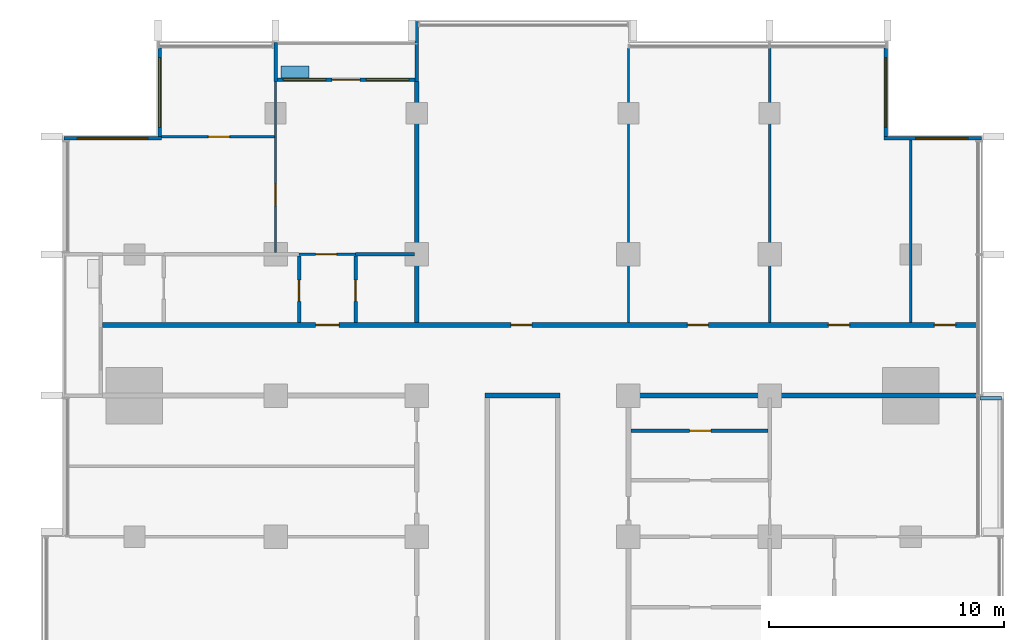
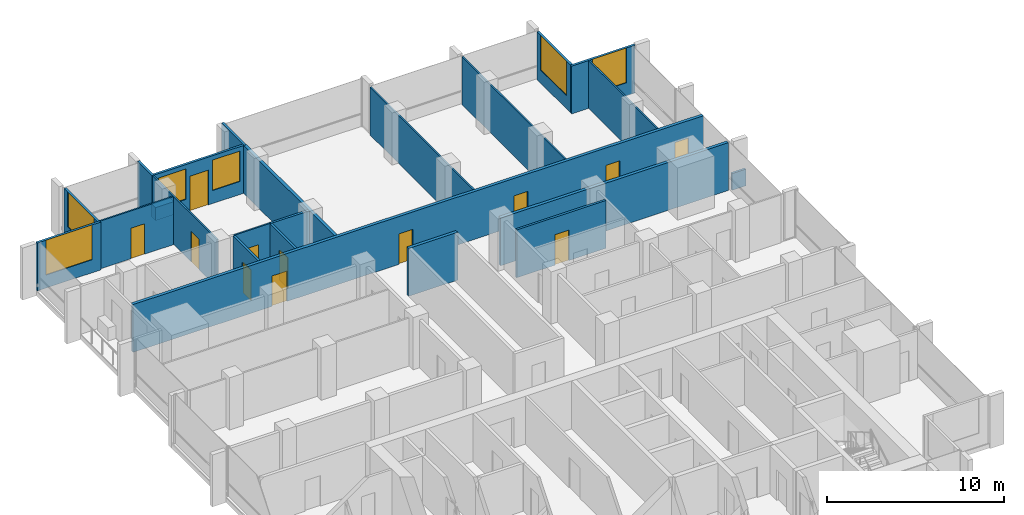
# One storey, part 10 of 16: 23 walls, 12 doors, 6 windows, 18 openings.
"""IFC4 building model written with IfcOpenShell, lengths in metres."""

from ifc_helpers import new_model, si_unit, direction, frame, frame_2d, origin, place, context, subcontext, project, spatial, rectangle, extrude, material, layer, layer_set, type_object, element, fill, save


model = new_model("IFC4")

# Units and contexts
model_context = context("Model", 3, precision=1e-05, world=origin(), true_north=direction((0.0, 1.0)))
body_context = subcontext(model_context, "Body", "Model", "MODEL_VIEW")
ifc_project = project(units=[si_unit("LENGTHUNIT", "METRE"), si_unit("AREAUNIT", "SQUARE_METRE"), si_unit("VOLUMEUNIT", "CUBIC_METRE"), si_unit("PLANEANGLEUNIT", "RADIAN"), si_unit("MASSUNIT", "GRAM", prefix="KILO")], contexts=[model_context])

# Site, building, storey
site_placement = place(None, origin())
site = spatial("IfcSite", under=ifc_project, at=site_placement, CompositionType="ELEMENT")
building_placement = place(site_placement, origin())
building = spatial("IfcBuilding", under=site, at=building_placement, Name="Finial Court Residences", CompositionType="ELEMENT")
storey_placement = place(building_placement, frame((0.0, 0.0, 185.300048828125)))
storey = spatial("IfcBuildingStorey", under=building, at=storey_placement, Name="L46", CompositionType="ELEMENT", Elevation=185.300048828125)

# Walls
ifc_material_1 = material(Name="Gypsum board")
ifc_layer_1 = layer(ifc_material_1, 0.02490234375)
ifc_material_2 = material(Name="Acoustic mineral wool in double frame")
ifc_layer_2 = layer(ifc_material_2, 0.14990234375)
ifc_layer_3 = layer(ifc_material_1, 0.02490234375)
ifc_layer_set_1 = layer_set([ifc_layer_1, ifc_layer_2, ifc_layer_3], Name="Corridor wall 200, 1 hour")
wall_type_1 = type_object("IfcWallType", Name="Corridor wall 200, 1 hour", PredefinedType="PARTITIONING", material=ifc_layer_set_1)
wall_1_placement = place(storey_placement, frame((-1.60009765625, 7.5, 0.0), z_axis=(0.0, 0.0, 1.0), x_axis=(1.0, 0.0, 0.0)))
element("IfcWall", 1, at=wall_1_placement, inside=storey, type_object=wall_type_1, Name="Partition L46-018", PredefinedType="PARTITIONING", context=body_context, shape_type="SweptSolid", body=[
    extrude(rectangle(XDim=3.2001953125, YDim=0.199951171875, at=frame_2d((1.60009765625, 0.0))), origin(), (0.0, 0.0, 1.0), 3.300048828125),
])
wall_2_placement = place(storey_placement, frame((4.39990234375, 7.5, 0.0), z_axis=(0.0, 0.0, 1.0), x_axis=(1.0, 0.0, 0.0)))
element("IfcWall", 2, at=wall_2_placement, inside=storey, type_object=wall_type_1, Name="Partition L46-019", PredefinedType="PARTITIONING", context=body_context, shape_type="SweptSolid", body=[
    extrude(rectangle(XDim=14.862548828125, YDim=0.199951171875, at=frame_2d((7.43115234375, 0.0))), origin(), (0.0, 0.0, 1.0), 3.300048828125),
])

# Wall, openings, doors
wall_3_placement = place(storey_placement, frame((-17.85009765625, 10.5, 0.0), z_axis=(0.0, 0.0, 1.0), x_axis=(1.0, 0.0, 0.0)))
wall_3 = element("IfcWall", 3, at=wall_3_placement, inside=storey, type_object=wall_type_1, Name="Partition L46-020", PredefinedType="PARTITIONING", context=body_context, shape_type="SweptSolid", body=[
    extrude(rectangle(XDim=37.2001953125, YDim=0.199951171875, at=frame_2d((18.60009765625, 0.0))), origin(), (0.0, 0.0, 1.0), 3.300048828125),
])
opening_1_placement = place(wall_3_placement, frame((9.050048828125, 0.0, 0.0)))
opening_1 = element("IfcOpeningElement", 4, at=opening_1_placement, cuts=wall_3, Name="Opening L46-D015", PredefinedType="OPENING", context=body_context, shape_type="SweptSolid", body=[
    extrude(rectangle(XDim=1.0, YDim=2.10009765625, at=frame_2d((0.5, 1.050048828125))), frame((0.0, 0.10986328125, 0.0), z_axis=(0.0, -1.0, 0.0), x_axis=(1.0, 0.0, 0.0)), (0.0, 0.0, 1.0), 0.219970703125),
])
opening_2_placement = place(wall_3_placement, frame((17.35009765625, 0.0, 0.0)))
opening_2 = element("IfcOpeningElement", 5, at=opening_2_placement, cuts=wall_3, Name="Opening L46-D016", PredefinedType="OPENING", context=body_context, shape_type="SweptSolid", body=[
    extrude(rectangle(XDim=0.89990234375, YDim=2.10009765625, at=frame_2d((0.449951171875, 1.050048828125))), frame((0.0, 0.10986328125, 0.0), z_axis=(0.0, -1.0, 0.0), x_axis=(1.0, 0.0, 0.0)), (0.0, 0.0, 1.0), 0.219970703125),
])
opening_3_placement = place(wall_3_placement, frame((24.85009765625, 0.0, 0.0)))
opening_3 = element("IfcOpeningElement", 6, at=opening_3_placement, cuts=wall_3, Name="Opening L46-D017", PredefinedType="OPENING", context=body_context, shape_type="SweptSolid", body=[
    extrude(rectangle(XDim=0.89990234375, YDim=2.10009765625, at=frame_2d((0.449951171875, 1.050048828125))), frame((0.0, 0.10986328125, 0.0), z_axis=(0.0, -1.0, 0.0), x_axis=(1.0, 0.0, 0.0)), (0.0, 0.0, 1.0), 0.219970703125),
])
opening_4_placement = place(wall_3_placement, frame((30.85009765625, 0.0, 0.0)))
opening_4 = element("IfcOpeningElement", 7, at=opening_4_placement, cuts=wall_3, Name="Opening L46-D018", PredefinedType="OPENING", context=body_context, shape_type="SweptSolid", body=[
    extrude(rectangle(XDim=0.89990234375, YDim=2.10009765625, at=frame_2d((0.449951171875, 1.050048828125))), frame((0.0, 0.10986328125, 0.0), z_axis=(0.0, -1.0, 0.0), x_axis=(1.0, 0.0, 0.0)), (0.0, 0.0, 1.0), 0.219970703125),
])
opening_5_placement = place(wall_3_placement, frame((35.35009765625, 0.0, 0.0)))
opening_5 = element("IfcOpeningElement", 8, at=opening_5_placement, cuts=wall_3, Name="Opening L46-D019", PredefinedType="OPENING", context=body_context, shape_type="SweptSolid", body=[
    extrude(rectangle(XDim=0.89990234375, YDim=2.10009765625, at=frame_2d((0.449951171875, 1.050048828125))), frame((0.0, 0.10986328125, 0.0), z_axis=(0.0, -1.0, 0.0), x_axis=(1.0, 0.0, 0.0)), (0.0, 0.0, 1.0), 0.219970703125),
])
ifc_material_3 = material(Name="Timber door leaf in hollow metal frame", Category="wood")
door_type_1 = type_object("IfcDoorType", Name="Fire door set 1000 x 2100, 30 minutes", OperationType="SINGLE_SWING_LEFT", PredefinedType="DOOR", material=ifc_material_3)
door_1_placement = place(opening_1_placement, origin())
door_1 = element("IfcDoor", 9, at=door_1_placement, inside=storey, type_object=door_type_1, Name="Door L46-D015", OperationType="SINGLE_SWING_RIGHT", OverallHeight=2.10009765625, OverallWidth=1.0, PredefinedType="DOOR", context=body_context, shape_type="SweptSolid", body=[
    extrude(rectangle(XDim=1.0, YDim=2.10009765625, at=frame_2d((0.5, 1.050048828125))), frame((0.0, 0.02490234375, 0.0), z_axis=(0.0, -1.0, 0.0), x_axis=(1.0, 0.0, 0.0)), (0.0, 0.0, 1.0), 0.050048828125),
])
fill(opening_1, door_1)
door_type_2 = type_object("IfcDoorType", Name="Fire door set 900 x 2100, 30 minutes", OperationType="SINGLE_SWING_LEFT", PredefinedType="DOOR", material=ifc_material_3)
door_2_placement = place(opening_2_placement, origin())
door_2 = element("IfcDoor", 10, at=door_2_placement, inside=storey, type_object=door_type_2, Name="Door L46-D016", OperationType="SINGLE_SWING_RIGHT", OverallHeight=2.10009765625, OverallWidth=0.89990234375, PredefinedType="DOOR", context=body_context, shape_type="SweptSolid", body=[
    extrude(rectangle(XDim=0.89990234375, YDim=2.10009765625, at=frame_2d((0.449951171875, 1.050048828125))), frame((0.0, 0.02490234375, 0.0), z_axis=(0.0, -1.0, 0.0), x_axis=(1.0, 0.0, 0.0)), (0.0, 0.0, 1.0), 0.050048828125),
])
fill(opening_2, door_2)
door_3_placement = place(opening_3_placement, origin())
door_3 = element("IfcDoor", 11, at=door_3_placement, inside=storey, type_object=door_type_2, Name="Door L46-D017", OperationType="SINGLE_SWING_LEFT", OverallHeight=2.10009765625, OverallWidth=0.89990234375, PredefinedType="DOOR", context=body_context, shape_type="SweptSolid", body=[
    extrude(rectangle(XDim=0.89990234375, YDim=2.10009765625, at=frame_2d((0.449951171875, 1.050048828125))), frame((0.0, 0.02490234375, 0.0), z_axis=(0.0, -1.0, 0.0), x_axis=(1.0, 0.0, 0.0)), (0.0, 0.0, 1.0), 0.050048828125),
])
fill(opening_3, door_3)
door_4_placement = place(opening_4_placement, origin())
door_4 = element("IfcDoor", 12, at=door_4_placement, inside=storey, type_object=door_type_2, Name="Door L46-D018", OperationType="SINGLE_SWING_LEFT", OverallHeight=2.10009765625, OverallWidth=0.89990234375, PredefinedType="DOOR", context=body_context, shape_type="SweptSolid", body=[
    extrude(rectangle(XDim=0.89990234375, YDim=2.10009765625, at=frame_2d((0.449951171875, 1.050048828125))), frame((0.0, 0.02490234375, 0.0), z_axis=(0.0, -1.0, 0.0), x_axis=(1.0, 0.0, 0.0)), (0.0, 0.0, 1.0), 0.050048828125),
])
fill(opening_4, door_4)
door_5_placement = place(opening_5_placement, origin())
door_5 = element("IfcDoor", 13, at=door_5_placement, inside=storey, type_object=door_type_2, Name="Door L46-D019", OperationType="SINGLE_SWING_LEFT", OverallHeight=2.10009765625, OverallWidth=0.89990234375, PredefinedType="DOOR", context=body_context, shape_type="SweptSolid", body=[
    extrude(rectangle(XDim=0.89990234375, YDim=2.10009765625, at=frame_2d((0.449951171875, 1.050048828125))), frame((0.0, 0.02490234375, 0.0), z_axis=(0.0, -1.0, 0.0), x_axis=(1.0, 0.0, 0.0)), (0.0, 0.0, 1.0), 0.050048828125),
])
fill(opening_5, door_5)

# Wall
wall_4_placement = place(storey_placement, frame((-4.5, 10.60009765625, 0.0), z_axis=(0.0, 0.0, 1.0), x_axis=(0.0, 1.0, 0.0)))
element("IfcWall", 14, at=wall_4_placement, inside=storey, type_object=wall_type_1, Name="Partition L46-032", PredefinedType="PARTITIONING", context=body_context, shape_type="SweptSolid", body=[
    extrude(rectangle(XDim=10.25, YDim=0.199951171875, at=frame_2d((5.125, 0.0))), origin(), (0.0, 0.0, 1.0), 3.300048828125),
])

# Wall, opening, door
ifc_layer_4 = layer(ifc_material_1, 0.012451171875)
ifc_material_4 = material(Name="Mineral wool in light-gauge frame")
ifc_layer_5 = layer(ifc_material_4, 0.074951171875)
ifc_layer_6 = layer(ifc_material_1, 0.012451171875)
ifc_layer_set_2 = layer_set([ifc_layer_4, ifc_layer_5, ifc_layer_6], Name="Gypsum board partition 100")
wall_type_2 = type_object("IfcWallType", Name="Gypsum board partition 100", PredefinedType="PARTITIONING", material=ifc_layer_set_2)
wall_5_placement = place(storey_placement, frame((-9.5, 13.5, 0.0), z_axis=(0.0, 0.0, 1.0), x_axis=(1.0, 0.0, 0.0)))
wall_5 = element("IfcWall", 15, at=wall_5_placement, inside=storey, type_object=wall_type_2, Name="Partition L46-022", PredefinedType="PARTITIONING", context=body_context, shape_type="SweptSolid", body=[
    extrude(rectangle(XDim=2.39990234375, YDim=0.10009765625, at=frame_2d((1.199951171875, 0.0))), origin(), (0.0, 0.0, 1.0), 3.300048828125),
])
opening_6_placement = place(wall_5_placement, frame((0.699951171875, 0.0, 0.0)))
opening_6 = element("IfcOpeningElement", 16, at=opening_6_placement, cuts=wall_5, Name="Opening L46-D020", PredefinedType="OPENING", context=body_context, shape_type="SweptSolid", body=[
    extrude(rectangle(XDim=0.89990234375, YDim=2.10009765625, at=frame_2d((0.449951171875, 1.050048828125))), frame((0.0, 0.06005859375, 0.0), z_axis=(0.0, -1.0, 0.0), x_axis=(1.0, 0.0, 0.0)), (0.0, 0.0, 1.0), 0.1201171875),
])
ifc_material_5 = material(Name="Timber door leaf in timber frame", Category="wood")
door_type_3 = type_object("IfcDoorType", Name="Door set 900 x 2100", OperationType="SINGLE_SWING_LEFT", PredefinedType="DOOR", material=ifc_material_5)
door_6_placement = place(opening_6_placement, origin())
door_6 = element("IfcDoor", 17, at=door_6_placement, inside=storey, type_object=door_type_3, Name="Door L46-D020", OperationType="SINGLE_SWING_RIGHT", OverallHeight=2.10009765625, OverallWidth=0.89990234375, PredefinedType="DOOR", context=body_context, shape_type="SweptSolid", body=[
    extrude(rectangle(XDim=0.89990234375, YDim=2.10009765625, at=frame_2d((0.449951171875, 1.050048828125))), frame((0.0, 0.02490234375, 0.0), z_axis=(0.0, -1.0, 0.0), x_axis=(1.0, 0.0, 0.0)), (0.0, 0.0, 1.0), 0.050048828125),
])
fill(opening_6, door_6)

wall_6_placement = place(storey_placement, frame((-15.35009765625, 18.5, 0.0), z_axis=(0.0, 0.0, 1.0), x_axis=(1.0, 0.0, 0.0)))
wall_6 = element("IfcWall", 18, at=wall_6_placement, inside=storey, type_object=wall_type_2, Name="Partition L46-025", PredefinedType="PARTITIONING", context=body_context, shape_type="SweptSolid", body=[
    extrude(rectangle(XDim=4.800048828125, YDim=0.10009765625, at=frame_2d((2.39990234375, 0.0))), origin(), (0.0, 0.0, 1.0), 3.300048828125),
])
opening_7_placement = place(wall_6_placement, frame((2.0, 0.0, 0.0)))
opening_7 = element("IfcOpeningElement", 19, at=opening_7_placement, cuts=wall_6, Name="Opening L46-D021", PredefinedType="OPENING", context=body_context, shape_type="SweptSolid", body=[
    extrude(rectangle(XDim=0.89990234375, YDim=2.10009765625, at=frame_2d((0.449951171875, 1.050048828125))), frame((0.0, 0.06005859375, 0.0), z_axis=(0.0, -1.0, 0.0), x_axis=(1.0, 0.0, 0.0)), (0.0, 0.0, 1.0), 0.1201171875),
])
door_7_placement = place(opening_7_placement, origin())
door_7 = element("IfcDoor", 20, at=door_7_placement, inside=storey, type_object=door_type_3, Name="Door L46-D021", OperationType="SINGLE_SWING_RIGHT", OverallHeight=2.10009765625, OverallWidth=0.89990234375, PredefinedType="DOOR", context=body_context, shape_type="SweptSolid", body=[
    extrude(rectangle(XDim=0.89990234375, YDim=2.10009765625, at=frame_2d((0.449951171875, 1.050048828125))), frame((0.0, 0.02490234375, 0.0), z_axis=(0.0, -1.0, 0.0), x_axis=(1.0, 0.0, 0.0)), (0.0, 0.0, 1.0), 0.050048828125),
])
fill(opening_7, door_7)

wall_7_placement = place(storey_placement, frame((-10.5, 13.574951171875, 0.0), z_axis=(0.0, 0.0, 1.0), x_axis=(0.0, 1.0, 0.0)))
wall_7 = element("IfcWall", 21, at=wall_7_placement, inside=storey, type_object=wall_type_2, Name="Partition L46-028", PredefinedType="PARTITIONING", context=body_context, shape_type="SweptSolid", body=[
    extrude(rectangle(XDim=7.275146484375, YDim=0.10009765625, at=frame_2d((3.6376953125, 0.0))), origin(), (0.0, 0.0, 1.0), 3.300048828125),
])
opening_8_placement = place(wall_7_placement, frame((2.0, 0.0, 0.0)))
opening_8 = element("IfcOpeningElement", 22, at=opening_8_placement, cuts=wall_7, Name="Opening L46-D023", PredefinedType="OPENING", context=body_context, shape_type="SweptSolid", body=[
    extrude(rectangle(XDim=0.89990234375, YDim=2.10009765625, at=frame_2d((0.449951171875, 1.050048828125))), frame((0.0, 0.06005859375, 0.0), z_axis=(0.0, -1.0, 0.0), x_axis=(1.0, 0.0, 0.0)), (0.0, 0.0, 1.0), 0.1201171875),
])
door_8_placement = place(opening_8_placement, origin())
door_8 = element("IfcDoor", 23, at=door_8_placement, inside=storey, type_object=door_type_3, Name="Door L46-D023", OperationType="SINGLE_SWING_RIGHT", OverallHeight=2.10009765625, OverallWidth=0.89990234375, PredefinedType="DOOR", context=body_context, shape_type="SweptSolid", body=[
    extrude(rectangle(XDim=0.89990234375, YDim=2.10009765625, at=frame_2d((0.449951171875, 1.050048828125))), frame((0.0, 0.02490234375, 0.0), z_axis=(0.0, -1.0, 0.0), x_axis=(1.0, 0.0, 0.0)), (0.0, 0.0, 1.0), 0.050048828125),
])
fill(opening_8, door_8)

# Walls
for number, where, z_axis, x_axis, name in (
    (24, (4.5, 10.60009765625, 0.0), (0.0, 0.0, 1.0), (0.0, 1.0, 0.0), "Partition L46-036"),
    (25, (10.5, 10.60009765625, 0.0), (0.0, 0.0, 1.0), (0.0, 1.0, 0.0), "Partition L46-039"),
):
    element("IfcWall", number, at=place(storey_placement, frame(where, z_axis=z_axis, x_axis=x_axis)), inside=storey, type_object=wall_type_2, Name=name, PredefinedType="PARTITIONING", context=body_context, shape_type="SweptSolid", body=[
        extrude(rectangle(XDim=11.662353515625, YDim=0.10009765625, at=frame_2d((5.8310546875, 0.0))), origin(), (0.0, 0.0, 1.0), 3.300048828125),
    ])
wall_8_placement = place(storey_placement, frame((16.5, 10.60009765625, 0.0), z_axis=(0.0, 0.0, 1.0), x_axis=(0.0, 1.0, 0.0)))
element("IfcWall", 26, at=wall_8_placement, inside=storey, type_object=wall_type_2, Name="Partition L46-045", PredefinedType="PARTITIONING", context=body_context, shape_type="SweptSolid", body=[
    extrude(rectangle(XDim=7.75, YDim=0.10009765625, at=frame_2d((3.875, 0.0))), origin(), (0.0, 0.0, 1.0), 3.300048828125),
])

# Wall, opening, door
ifc_material_6 = material(Name="Moisture-resistant gypsum board")
ifc_layer_7 = layer(ifc_material_6, 0.012451171875)
ifc_layer_8 = layer(ifc_material_4, 0.125)
ifc_layer_9 = layer(ifc_material_6, 0.012451171875)
ifc_layer_set_3 = layer_set([ifc_layer_7, ifc_layer_8, ifc_layer_9], Name="Gypsum board wet-area partition 150")
wall_type_3 = type_object("IfcWallType", Name="Gypsum board wet-area partition 150", PredefinedType="PARTITIONING", material=ifc_layer_set_3)
wall_9_placement = place(storey_placement, frame((4.60009765625, 6.0, 0.0), z_axis=(0.0, 0.0, 1.0), x_axis=(1.0, 0.0, 0.0)))
wall_9 = element("IfcWall", 27, at=wall_9_placement, inside=storey, type_object=wall_type_3, Name="Partition L46-016", PredefinedType="PARTITIONING", context=body_context, shape_type="SweptSolid", body=[
    extrude(rectangle(XDim=5.824951171875, YDim=0.14990234375, at=frame_2d((2.91259765625, 0.0))), origin(), (0.0, 0.0, 1.0), 3.300048828125),
])
opening_9_placement = place(wall_9_placement, frame((2.5, 0.0, 0.0)))
opening_9 = element("IfcOpeningElement", 28, at=opening_9_placement, cuts=wall_9, Name="Opening L46-D014", PredefinedType="OPENING", context=body_context, shape_type="SweptSolid", body=[
    extrude(rectangle(XDim=0.89990234375, YDim=2.10009765625, at=frame_2d((0.449951171875, 1.050048828125))), frame((0.0, 0.0849609375, 0.0), z_axis=(0.0, -1.0, 0.0), x_axis=(1.0, 0.0, 0.0)), (0.0, 0.0, 1.0), 0.169921875),
])
door_9_placement = place(opening_9_placement, origin())
door_9 = element("IfcDoor", 29, at=door_9_placement, inside=storey, type_object=door_type_3, Name="Door L46-D014", OperationType="SINGLE_SWING_RIGHT", OverallHeight=2.10009765625, OverallWidth=0.89990234375, PredefinedType="DOOR", context=body_context, shape_type="SweptSolid", body=[
    extrude(rectangle(XDim=0.89990234375, YDim=2.10009765625, at=frame_2d((0.449951171875, 1.050048828125))), frame((0.0, 0.02490234375, 0.0), z_axis=(0.0, -1.0, 0.0), x_axis=(1.0, 0.0, 0.0)), (0.0, 0.0, 1.0), 0.050048828125),
])
fill(opening_9, door_9)

# Wall
wall_10_placement = place(storey_placement, frame((-7.10009765625, 13.5, 0.0), z_axis=(0.0, 0.0, 1.0), x_axis=(1.0, 0.0, 0.0)))
element("IfcWall", 30, at=wall_10_placement, inside=storey, type_object=wall_type_3, Name="Partition L46-024", PredefinedType="PARTITIONING", context=body_context, shape_type="SweptSolid", body=[
    extrude(rectangle(XDim=2.5, YDim=0.14990234375, at=frame_2d((1.25, 0.0))), origin(), (0.0, 0.0, 1.0), 3.300048828125),
])

# Wall, opening, door
wall_11_placement = place(storey_placement, frame((-9.5, 10.60009765625, 0.0), z_axis=(0.0, 0.0, 1.0), x_axis=(0.0, 1.0, 0.0)))
wall_11 = element("IfcWall", 31, at=wall_11_placement, inside=storey, type_object=wall_type_3, Name="Partition L46-029", PredefinedType="PARTITIONING", context=body_context, shape_type="SweptSolid", body=[
    extrude(rectangle(XDim=2.824951171875, YDim=0.14990234375, at=frame_2d((1.41259765625, 0.0))), origin(), (0.0, 0.0, 1.0), 3.300048828125),
])
opening_10_placement = place(wall_11_placement, frame((0.89990234375, 0.0, 0.0)))
opening_10 = element("IfcOpeningElement", 32, at=opening_10_placement, cuts=wall_11, Name="Opening L46-D024", PredefinedType="OPENING", context=body_context, shape_type="SweptSolid", body=[
    extrude(rectangle(XDim=0.89990234375, YDim=2.10009765625, at=frame_2d((0.449951171875, 1.050048828125))), frame((0.0, 0.0849609375, 0.0), z_axis=(0.0, -1.0, 0.0), x_axis=(1.0, 0.0, 0.0)), (0.0, 0.0, 1.0), 0.169921875),
])
door_10_placement = place(opening_10_placement, origin())
door_10 = element("IfcDoor", 33, at=door_10_placement, inside=storey, type_object=door_type_3, Name="Door L46-D024", OperationType="SINGLE_SWING_RIGHT", OverallHeight=2.10009765625, OverallWidth=0.89990234375, PredefinedType="DOOR", context=body_context, shape_type="SweptSolid", body=[
    extrude(rectangle(XDim=0.89990234375, YDim=2.10009765625, at=frame_2d((0.449951171875, 1.050048828125))), frame((0.0, 0.02490234375, 0.0), z_axis=(0.0, -1.0, 0.0), x_axis=(1.0, 0.0, 0.0)), (0.0, 0.0, 1.0), 0.050048828125),
])
fill(opening_10, door_10)

wall_12_placement = place(storey_placement, frame((-7.10009765625, 10.60009765625, 0.0), z_axis=(0.0, 0.0, 1.0), x_axis=(0.0, 1.0, 0.0)))
wall_12 = element("IfcWall", 34, at=wall_12_placement, inside=storey, type_object=wall_type_3, Name="Partition L46-030", PredefinedType="PARTITIONING", context=body_context, shape_type="SweptSolid", body=[
    extrude(rectangle(XDim=2.824951171875, YDim=0.14990234375, at=frame_2d((1.41259765625, 0.0))), origin(), (0.0, 0.0, 1.0), 3.300048828125),
])
opening_11_placement = place(wall_12_placement, frame((0.89990234375, 0.0, 0.0)))
opening_11 = element("IfcOpeningElement", 35, at=opening_11_placement, cuts=wall_12, Name="Opening L46-D025", PredefinedType="OPENING", context=body_context, shape_type="SweptSolid", body=[
    extrude(rectangle(XDim=0.89990234375, YDim=2.10009765625, at=frame_2d((0.449951171875, 1.050048828125))), frame((0.0, 0.0849609375, 0.0), z_axis=(0.0, -1.0, 0.0), x_axis=(1.0, 0.0, 0.0)), (0.0, 0.0, 1.0), 0.169921875),
])
door_11_placement = place(opening_11_placement, origin())
door_11 = element("IfcDoor", 36, at=door_11_placement, inside=storey, type_object=door_type_3, Name="Door L46-D025", OperationType="SINGLE_SWING_LEFT", OverallHeight=2.10009765625, OverallWidth=0.89990234375, PredefinedType="DOOR", context=body_context, shape_type="SweptSolid", body=[
    extrude(rectangle(XDim=0.89990234375, YDim=2.10009765625, at=frame_2d((0.449951171875, 1.050048828125))), frame((0.0, 0.02490234375, 0.0), z_axis=(0.0, -1.0, 0.0), x_axis=(1.0, 0.0, 0.0)), (0.0, 0.0, 1.0), 0.050048828125),
])
fill(opening_11, door_11)

# Wall
ifc_material_7 = material(Name="Concrete C35/45", Category="concrete")
ifc_layer_10 = layer(ifc_material_7, 0.14990234375)
ifc_layer_set_4 = layer_set([ifc_layer_10], Name="Ledge parapet, Concrete C35/45 150")
wall_type_4 = type_object("IfcWallType", Name="Ledge parapet, Concrete C35/45 150", PredefinedType="PARAPET", material=ifc_layer_set_4)
wall_13_placement = place(storey_placement, frame((19.447509765625, 7.375, 0.0), z_axis=(0.0, 0.0, 1.0), x_axis=(1.0, 0.0, 0.0)))
element("IfcWall", 37, at=wall_13_placement, inside=storey, type_object=wall_type_4, Name="E-L46-LED1-P1", PredefinedType="PARAPET", context=body_context, shape_type="SweptSolid", body=[
    extrude(rectangle(XDim=0.902587890625, YDim=0.14990234375, at=frame_2d((0.451171875, 0.0))), origin(), (0.0, 0.0, 1.0), 1.14990234375),
])

# Wall, opening, window
ifc_material_8 = material(Name="Natural limestone", Category="masonry")
ifc_layer_11 = layer(ifc_material_8, 0.14990234375)
ifc_layer_set_5 = layer_set([ifc_layer_11], Name="Limestone clad wall 150")
wall_type_5 = type_object("IfcWallType", Name="Limestone clad wall 150", PredefinedType="SOLIDWALL", material=ifc_layer_set_5)
wall_14_placement = place(storey_placement, frame((-15.425048828125, 18.5, 0.0), z_axis=(0.0, 0.0, 1.0), x_axis=(0.0, 1.0, 0.0)))
wall_14 = element("IfcWall", 38, at=wall_14_placement, inside=storey, type_object=wall_type_5, Name="E-L46-NWW18", PredefinedType="SOLIDWALL", context=body_context, shape_type="SweptSolid", body=[
    extrude(rectangle(XDim=3.762451171875, YDim=0.14990234375, at=frame_2d((1.88134765625, 0.0))), origin(), (0.0, 0.0, 1.0), 3.300048828125),
])
opening_12_placement = place(wall_14_placement, frame((0.4013671875, 0.0, 0.89990234375)))
opening_12 = element("IfcOpeningElement", 39, at=opening_12_placement, cuts=wall_14, Name="Opening WE46-05", PredefinedType="OPENING", context=body_context, shape_type="SweptSolid", body=[
    extrude(rectangle(XDim=2.9599609375, YDim=2.39990234375, at=frame_2d((1.47998046875, 1.199951171875))), frame((0.0, 0.0849609375, 0.0), z_axis=(0.0, -1.0, 0.0), x_axis=(1.0, 0.0, 0.0)), (0.0, 0.0, 1.0), 0.169921875),
])
ifc_material_9 = material(Name="Clear low-e glass", Category="glass")
window_type_1 = type_object("IfcWindowType", Name="Corner window 2960 x 2400", PartitioningType="SINGLE_PANEL", PredefinedType="WINDOW", material=ifc_material_9)
window_1_placement = place(opening_12_placement, origin())
window_1 = element("IfcWindow", 40, at=window_1_placement, inside=storey, type_object=window_type_1, Name="E-L46-NWW18-W1", OverallHeight=2.39990234375, OverallWidth=2.9599609375, PartitioningType="SINGLE_PANEL", PredefinedType="WINDOW", context=body_context, shape_type="SweptSolid", body=[
    extrude(rectangle(XDim=2.9599609375, YDim=2.39990234375, at=frame_2d((1.47998046875, 1.199951171875))), frame((0.0, 0.030029296875, 0.0), z_axis=(0.0, -1.0, 0.0), x_axis=(1.0, 0.0, 0.0)), (0.0, 0.0, 1.0), 0.06005859375),
])
fill(opening_12, window_1)

wall_15_placement = place(storey_placement, frame((-19.5, 18.425048828125, 0.0), z_axis=(0.0, 0.0, 1.0), x_axis=(1.0, 0.0, 0.0)))
wall_15 = element("IfcWall", 41, at=wall_15_placement, inside=storey, type_object=wall_type_5, Name="E-L46-NWN19", PredefinedType="SOLIDWALL", context=body_context, shape_type="SweptSolid", body=[
    extrude(rectangle(XDim=4.14990234375, YDim=0.14990234375, at=frame_2d((2.074951171875, 0.0))), origin(), (0.0, 0.0, 1.0), 3.300048828125),
])
opening_13_placement = place(wall_15_placement, frame((0.574951171875, 0.0, 0.89990234375)))
opening_13 = element("IfcOpeningElement", 42, at=opening_13_placement, cuts=wall_15, Name="Opening WE46-06", PredefinedType="OPENING", context=body_context, shape_type="SweptSolid", body=[
    extrude(rectangle(XDim=3.0, YDim=2.39990234375, at=frame_2d((1.5, 1.199951171875))), frame((0.0, 0.0849609375, 0.0), z_axis=(0.0, -1.0, 0.0), x_axis=(1.0, 0.0, 0.0)), (0.0, 0.0, 1.0), 0.169921875),
])
window_type_2 = type_object("IfcWindowType", Name="Corner window 3000 x 2400", PartitioningType="SINGLE_PANEL", PredefinedType="WINDOW", material=ifc_material_9)
window_2_placement = place(opening_13_placement, origin())
window_2 = element("IfcWindow", 43, at=window_2_placement, inside=storey, type_object=window_type_2, Name="E-L46-NWN19-W1", OverallHeight=2.39990234375, OverallWidth=3.0, PartitioningType="SINGLE_PANEL", PredefinedType="WINDOW", context=body_context, shape_type="SweptSolid", body=[
    extrude(rectangle(XDim=3.0, YDim=2.39990234375, at=frame_2d((1.5, 1.199951171875))), frame((0.0, 0.030029296875, 0.0), z_axis=(0.0, -1.0, 0.0), x_axis=(1.0, 0.0, 0.0)), (0.0, 0.0, 1.0), 0.06005859375),
])
fill(opening_13, window_2)

wall_16_placement = place(storey_placement, frame((15.425048828125, 22.262451171875, 0.0), z_axis=(0.0, 0.0, 1.0), x_axis=(0.0, -1.0, 0.0)))
wall_16 = element("IfcWall", 44, at=wall_16_placement, inside=storey, type_object=wall_type_5, Name="E-L46-NWE20", PredefinedType="SOLIDWALL", context=body_context, shape_type="SweptSolid", body=[
    extrude(rectangle(XDim=3.762451171875, YDim=0.14990234375, at=frame_2d((1.88134765625, 0.0))), origin(), (0.0, 0.0, 1.0), 3.300048828125),
])
opening_14_placement = place(wall_16_placement, frame((0.401123046875, 0.0, 0.89990234375)))
opening_14 = element("IfcOpeningElement", 45, at=opening_14_placement, cuts=wall_16, Name="Opening WE46-07", PredefinedType="OPENING", context=body_context, shape_type="SweptSolid", body=[
    extrude(rectangle(XDim=2.9599609375, YDim=2.39990234375, at=frame_2d((1.47998046875, 1.199951171875))), frame((0.0, 0.0849609375, 0.0), z_axis=(0.0, -1.0, 0.0), x_axis=(1.0, 0.0, 0.0)), (0.0, 0.0, 1.0), 0.169921875),
])
window_3_placement = place(opening_14_placement, origin())
window_3 = element("IfcWindow", 46, at=window_3_placement, inside=storey, type_object=window_type_1, Name="E-L46-NWE20-W1", OverallHeight=2.39990234375, OverallWidth=2.9599609375, PartitioningType="SINGLE_PANEL", PredefinedType="WINDOW", context=body_context, shape_type="SweptSolid", body=[
    extrude(rectangle(XDim=2.9599609375, YDim=2.39990234375, at=frame_2d((1.47998046875, 1.199951171875))), frame((0.0, 0.030029296875, 0.0), z_axis=(0.0, -1.0, 0.0), x_axis=(1.0, 0.0, 0.0)), (0.0, 0.0, 1.0), 0.06005859375),
])
fill(opening_14, window_3)

wall_17_placement = place(storey_placement, frame((15.35009765625, 18.425048828125, 0.0), z_axis=(0.0, 0.0, 1.0), x_axis=(1.0, 0.0, 0.0)))
wall_17 = element("IfcWall", 47, at=wall_17_placement, inside=storey, type_object=wall_type_5, Name="E-L46-NWN21", PredefinedType="SOLIDWALL", context=body_context, shape_type="SweptSolid", body=[
    extrude(rectangle(XDim=4.14990234375, YDim=0.14990234375, at=frame_2d((2.074951171875, 0.0))), origin(), (0.0, 0.0, 1.0), 3.300048828125),
])
opening_15_placement = place(wall_17_placement, frame((1.35009765625, 0.0, 0.89990234375)))
opening_15 = element("IfcOpeningElement", 48, at=opening_15_placement, cuts=wall_17, Name="Opening WE46-08", PredefinedType="OPENING", context=body_context, shape_type="SweptSolid", body=[
    extrude(rectangle(XDim=2.22509765625, YDim=2.39990234375, at=frame_2d((1.112548828125, 1.199951171875))), frame((0.0, 0.0849609375, 0.0), z_axis=(0.0, -1.0, 0.0), x_axis=(1.0, 0.0, 0.0)), (0.0, 0.0, 1.0), 0.169921875),
])
window_type_3 = type_object("IfcWindowType", Name="Corner window 2225 x 2400", PartitioningType="SINGLE_PANEL", PredefinedType="WINDOW", material=ifc_material_9)
window_4_placement = place(opening_15_placement, origin())
window_4 = element("IfcWindow", 49, at=window_4_placement, inside=storey, type_object=window_type_3, Name="E-L46-NWN21-W1", OverallHeight=2.39990234375, OverallWidth=2.22509765625, PartitioningType="SINGLE_PANEL", PredefinedType="WINDOW", context=body_context, shape_type="SweptSolid", body=[
    extrude(rectangle(XDim=2.22509765625, YDim=2.39990234375, at=frame_2d((1.112548828125, 1.199951171875))), frame((0.0, 0.030029296875, 0.0), z_axis=(0.0, -1.0, 0.0), x_axis=(1.0, 0.0, 0.0)), (0.0, 0.0, 1.0), 0.06005859375),
])
fill(opening_15, window_4)

# Walls
wall_18_placement = place(storey_placement, frame((-10.5, 20.85009765625, 0.0), z_axis=(0.0, 0.0, 1.0), x_axis=(0.0, 1.0, 0.0)))
element("IfcWall", 50, at=wall_18_placement, inside=storey, type_object=wall_type_5, Name="E-L46-BALN2-P1", PredefinedType="SOLIDWALL", context=body_context, shape_type="SweptSolid", body=[
    extrude(rectangle(XDim=1.64990234375, YDim=0.14990234375, at=frame_2d((0.824951171875, 0.0))), origin(), (0.0, 0.0, 1.0), 3.300048828125),
])
wall_19_placement = place(storey_placement, frame((-4.5, 20.85009765625, 0.0), z_axis=(0.0, 0.0, 1.0), x_axis=(0.0, 1.0, 0.0)))
element("IfcWall", 51, at=wall_19_placement, inside=storey, type_object=wall_type_5, Name="E-L46-BALN2-P2", PredefinedType="SOLIDWALL", context=body_context, shape_type="SweptSolid", body=[
    extrude(rectangle(XDim=2.5498046875, YDim=0.14990234375, at=frame_2d((1.27490234375, 0.0))), origin(), (0.0, 0.0, 1.0), 3.300048828125),
])

# Wall, openings, door, windows
wall_20_placement = place(storey_placement, frame((-10.425048828125, 20.925048828125, 0.0), z_axis=(0.0, 0.0, 1.0), x_axis=(1.0, 0.0, 0.0)))
wall_20 = element("IfcWall", 52, at=wall_20_placement, inside=storey, type_object=wall_type_5, Name="E-L46-L46-BALN2-W", PredefinedType="SOLIDWALL", context=body_context, shape_type="SweptSolid", body=[
    extrude(rectangle(XDim=5.85009765625, YDim=0.14990234375, at=frame_2d((2.925048828125, 0.0))), origin(), (0.0, 0.0, 1.0), 3.300048828125),
])
opening_16_placement = place(wall_20_placement, frame((2.324951171875, 0.0, 0.0)))
opening_16 = element("IfcOpeningElement", 53, at=opening_16_placement, cuts=wall_20, Name="Opening DE46-01", PredefinedType="OPENING", context=body_context, shape_type="SweptSolid", body=[
    extrude(rectangle(XDim=1.199951171875, YDim=2.39990234375, at=frame_2d((0.60009765625, 1.199951171875))), frame((0.0, 0.0849609375, 0.0), z_axis=(0.0, -1.0, 0.0), x_axis=(1.0, 0.0, 0.0)), (0.0, 0.0, 1.0), 0.169921875),
])
opening_17_placement = place(wall_20_placement, frame((0.262451171875, 0.0, 0.89990234375)))
opening_17 = element("IfcOpeningElement", 54, at=opening_17_placement, cuts=wall_20, Name="Opening WE46-09", PredefinedType="OPENING", context=body_context, shape_type="SweptSolid", body=[
    extrude(rectangle(XDim=1.800048828125, YDim=2.10009765625, at=frame_2d((0.89990234375, 1.050048828125))), frame((0.0, 0.0849609375, 0.0), z_axis=(0.0, -1.0, 0.0), x_axis=(1.0, 0.0, 0.0)), (0.0, 0.0, 1.0), 0.169921875),
])
opening_18_placement = place(wall_20_placement, frame((3.78759765625, 0.0, 0.89990234375)))
opening_18 = element("IfcOpeningElement", 55, at=opening_18_placement, cuts=wall_20, Name="Opening WE46-10", PredefinedType="OPENING", context=body_context, shape_type="SweptSolid", body=[
    extrude(rectangle(XDim=1.800048828125, YDim=2.10009765625, at=frame_2d((0.89990234375, 1.050048828125))), frame((0.0, 0.0849609375, 0.0), z_axis=(0.0, -1.0, 0.0), x_axis=(1.0, 0.0, 0.0)), (0.0, 0.0, 1.0), 0.169921875),
])
ifc_material_10 = material(Name="Bronze anodised aluminium", Category="aluminium")
door_type_4 = type_object("IfcDoorType", Name="Balcony door 1200 x 2400", OperationType="SINGLE_SWING_LEFT", PredefinedType="DOOR", material=ifc_material_10)
door_12_placement = place(opening_16_placement, origin())
door_12 = element("IfcDoor", 56, at=door_12_placement, inside=storey, type_object=door_type_4, Name="E-L46-L46-BALN2-W-D", OperationType="SINGLE_SWING_LEFT", OverallHeight=2.39990234375, OverallWidth=1.199951171875, PredefinedType="DOOR", context=body_context, shape_type="SweptSolid", body=[
    extrude(rectangle(XDim=1.199951171875, YDim=2.39990234375, at=frame_2d((0.60009765625, 1.199951171875))), frame((0.0, 0.02490234375, 0.0), z_axis=(0.0, -1.0, 0.0), x_axis=(1.0, 0.0, 0.0)), (0.0, 0.0, 1.0), 0.050048828125),
])
fill(opening_16, door_12)
window_type_4 = type_object("IfcWindowType", Name="Balcony window 1800 x 2100", PartitioningType="SINGLE_PANEL", PredefinedType="WINDOW", material=ifc_material_9)
window_5_placement = place(opening_17_placement, origin())
window_5 = element("IfcWindow", 57, at=window_5_placement, inside=storey, type_object=window_type_4, Name="E-L46-L46-BALN2-W-W1", OverallHeight=2.10009765625, OverallWidth=1.800048828125, PartitioningType="SINGLE_PANEL", PredefinedType="WINDOW", context=body_context, shape_type="SweptSolid", body=[
    extrude(rectangle(XDim=1.800048828125, YDim=2.10009765625, at=frame_2d((0.89990234375, 1.050048828125))), frame((0.0, 0.030029296875, 0.0), z_axis=(0.0, -1.0, 0.0), x_axis=(1.0, 0.0, 0.0)), (0.0, 0.0, 1.0), 0.06005859375),
])
fill(opening_17, window_5)
window_6_placement = place(opening_18_placement, origin())
window_6 = element("IfcWindow", 58, at=window_6_placement, inside=storey, type_object=window_type_4, Name="E-L46-L46-BALN2-W-W2", OverallHeight=2.10009765625, OverallWidth=1.800048828125, PartitioningType="SINGLE_PANEL", PredefinedType="WINDOW", context=body_context, shape_type="SweptSolid", body=[
    extrude(rectangle(XDim=1.800048828125, YDim=2.10009765625, at=frame_2d((0.89990234375, 1.050048828125))), frame((0.0, 0.030029296875, 0.0), z_axis=(0.0, -1.0, 0.0), x_axis=(1.0, 0.0, 0.0)), (0.0, 0.0, 1.0), 0.06005859375),
])
fill(opening_18, window_6)

# Wall
ifc_material_11 = material(Name="Concrete C40/50", Category="concrete")
ifc_layer_12 = layer(ifc_material_11, 0.10009765625)
ifc_material_12 = material(Name="Planting soil", Category="soil")
ifc_layer_13 = layer(ifc_material_12, 0.300048828125)
ifc_layer_14 = layer(ifc_material_11, 0.10009765625)
ifc_layer_set_6 = layer_set([ifc_layer_12, ifc_layer_13, ifc_layer_14], Name="Planter wall, balcony")
wall_type_6 = type_object("IfcWallType", Name="Planter wall, balcony", PredefinedType="USERDEFINED", material=ifc_layer_set_6)
wall_21_placement = place(storey_placement, frame((-10.27490234375, 21.25, 0.0), z_axis=(0.0, 0.0, 1.0), x_axis=(1.0, 0.0, 0.0)))
element("IfcWall", 59, at=wall_21_placement, inside=storey, type_object=wall_type_6, Name="E-L46-BALN2-PL", ObjectType="PLANTER", PredefinedType="USERDEFINED", context=body_context, shape_type="SweptSolid", body=[
    extrude(rectangle(XDim=1.199951171875, YDim=0.5, at=frame_2d((0.60009765625, 0.0))), origin(), (0.0, 0.0, 1.0), 0.89990234375),
])

save(model, "model.ifc")
